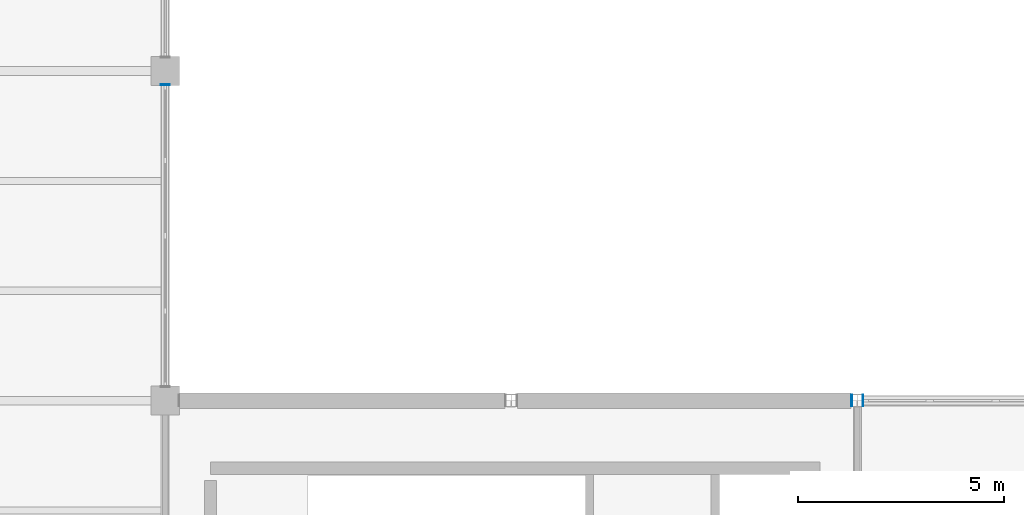
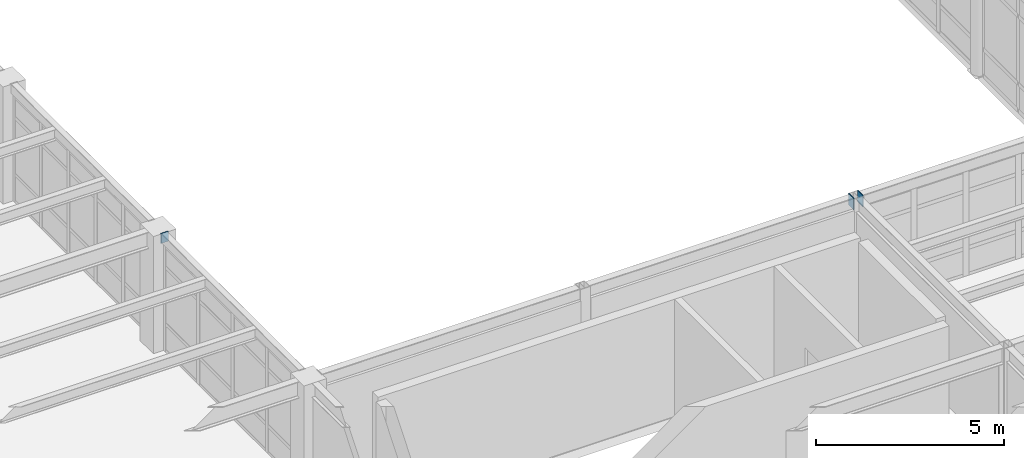
# One storey, part 91 of 138: 3 discrete accessories.
"""IFC4 building model written with IfcOpenShell, lengths in metres."""

from ifc_helpers import new_model, si_unit, direction, frame, origin, origin_2d, place, context, subcontext, project, spatial, rectangle, extrude, material, layer, layer_set, type_object, element, save


model = new_model("IFC4")

# Units and contexts
model_context = context("Model", 3, precision=1e-05, world=origin(), true_north=direction((0.0, 1.0)))
body_context = subcontext(model_context, "Body", "Model", "MODEL_VIEW")
ifc_project = project(units=[si_unit("LENGTHUNIT", "METRE"), si_unit("AREAUNIT", "SQUARE_METRE"), si_unit("VOLUMEUNIT", "CUBIC_METRE"), si_unit("PLANEANGLEUNIT", "RADIAN"), si_unit("MASSUNIT", "GRAM", prefix="KILO")], contexts=[model_context])

# Site, building, storey
site_placement = place(None, origin())
site = spatial("IfcSite", under=ifc_project, at=site_placement, CompositionType="ELEMENT")
building_placement = place(site_placement, origin())
building = spatial("IfcBuilding", under=site, at=building_placement, Name="Kranzveld Transit Interchange", CompositionType="ELEMENT")
storey_placement = place(building_placement, frame((0.0, 0.0, 5.43994140625)))
storey = spatial("IfcBuildingStorey", under=building, at=storey_placement, Name="L01", CompositionType="ELEMENT", Elevation=5.43994140625)

# Discrete accessories
ifc_material = material(Name="Steel S355JR", Category="steel")
ifc_layer = layer(ifc_material, 0.02001953125)
ifc_layer_set = layer_set([ifc_layer], Name="Steel S355JR")
discrete_accessory_type = type_object("IfcDiscreteAccessoryType", Name="Hollow Section End Cap Bracket 20 S355JR", PredefinedType="BRACKET", material=ifc_layer_set)
for number, where, z_axis, x_axis, name in (
    (1, (50.25146484375, 56.0, 3.625), (1.0, 0.0, 0.0), (0.0, 1.0, 0.0), "Hollow Section End Cap SP-RHS350-2"),
    (2, (50.548583984375, 56.0, 3.625), (-1.0, 0.0, 0.0), (0.0, -1.0, 0.0), "Hollow Section End Cap SP-RHS350-1"),
):
    element("IfcDiscreteAccessory", number, at=place(storey_placement, frame(where, z_axis=z_axis, x_axis=x_axis)), inside=storey, type_object=discrete_accessory_type, Name=name, PredefinedType="BRACKET", context=body_context, shape_type="SweptSolid", body=[
        extrude(rectangle(XDim=0.27392578125, YDim=0.3740234375, at=origin_2d()), origin(), (0.0, 0.0, 1.0), 0.02001953125),
    ])
discrete_accessory_placement = place(storey_placement, frame((33.60009765625, 63.656005859375, 3.650146484375), z_axis=(0.0, 1.0, 0.0), x_axis=(-1.0, 0.0, 0.0)))
element("IfcDiscreteAccessory", 3, at=discrete_accessory_placement, inside=storey, type_object=discrete_accessory_type, Name="Hollow Section End Cap SP-RHS300-2", PredefinedType="BRACKET", context=body_context, shape_type="SweptSolid", body=[
    extrude(rectangle(XDim=0.22412109375, YDim=0.323974609375, at=origin_2d()), origin(), (0.0, 0.0, 1.0), 0.02001953125),
])

save(model, "model.ifc")
